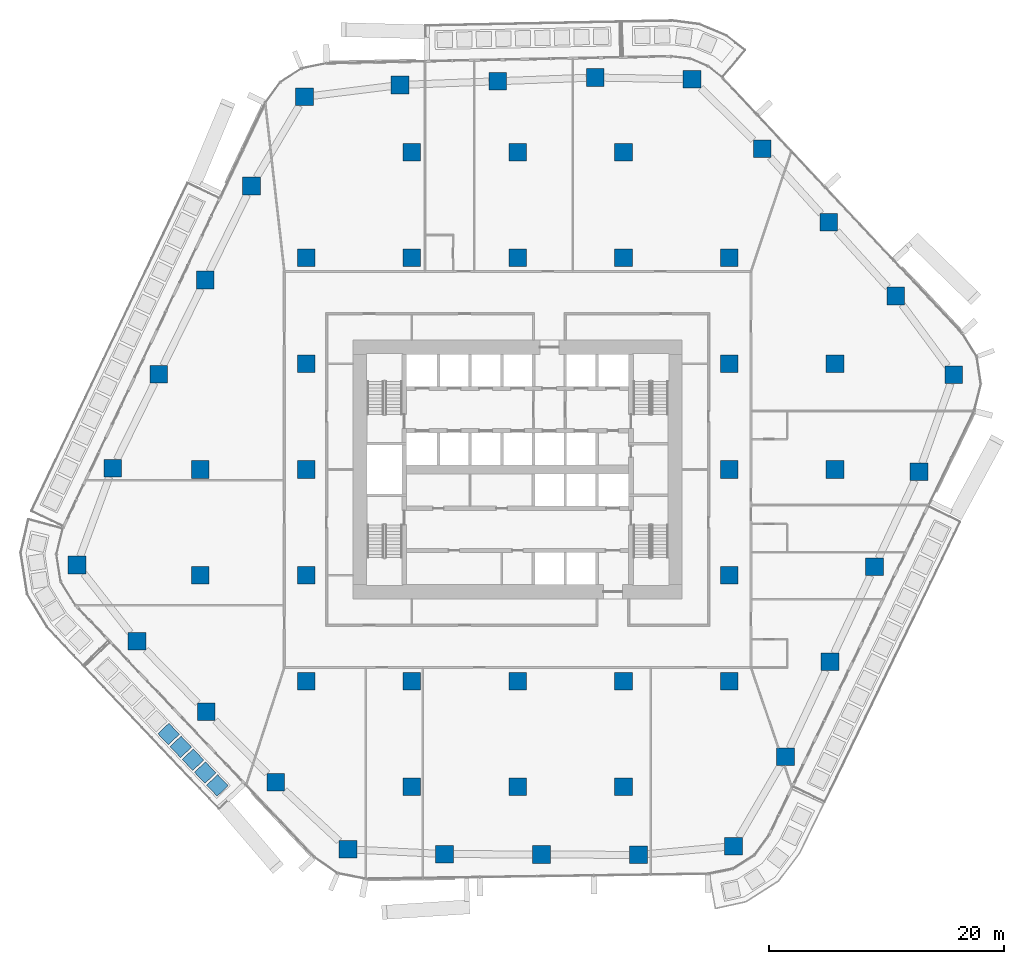
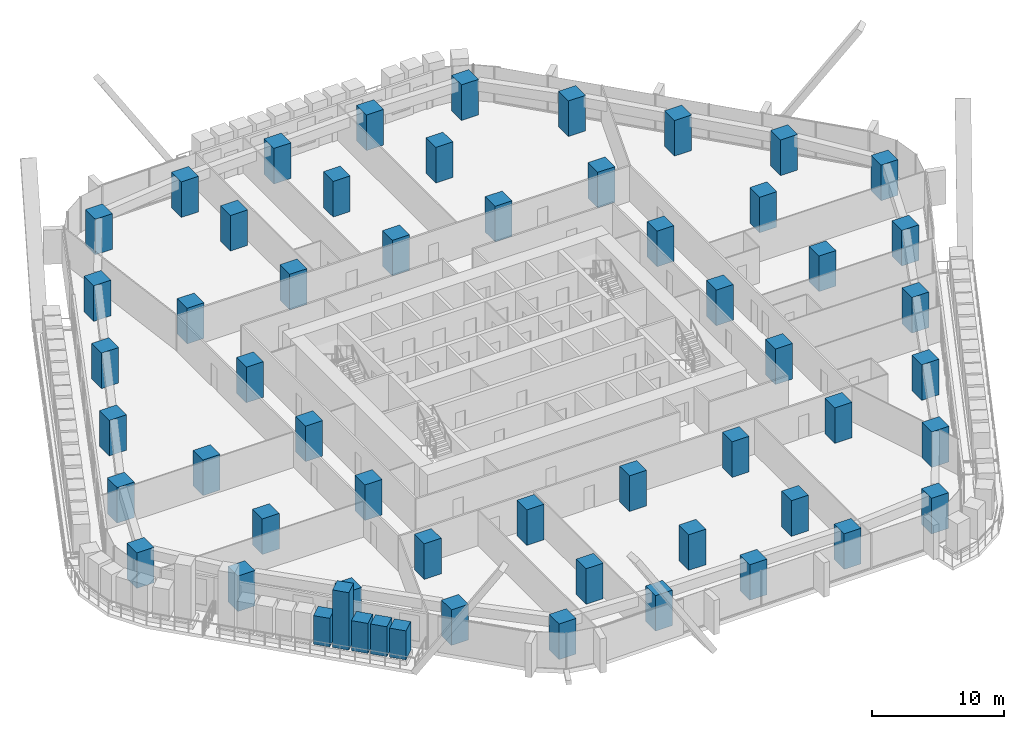
# One storey, part 1 of 24: 52 columns, 5 members.
"""IFC4 building model written with IfcOpenShell, lengths in metres."""

from ifc_helpers import new_model, si_unit, direction, frame, origin, origin_2d, place, context, subcontext, project, spatial, rectangle, extrude, material, material_profile, profile_set, type_object, element, save


model = new_model("IFC4")

# Units and contexts
model_context = context("Model", 3, precision=1e-05, world=origin(), true_north=direction((0.0, 1.0)))
body_context = subcontext(model_context, "Body", "Model", "MODEL_VIEW")
ifc_project = project(units=[si_unit("LENGTHUNIT", "METRE"), si_unit("AREAUNIT", "SQUARE_METRE"), si_unit("VOLUMEUNIT", "CUBIC_METRE"), si_unit("PLANEANGLEUNIT", "RADIAN"), si_unit("MASSUNIT", "GRAM", prefix="KILO")], contexts=[model_context])

# Site, building, storey
site_placement = place(None, origin())
site = spatial("IfcSite", under=ifc_project, at=site_placement, CompositionType="ELEMENT")
building_placement = place(site_placement, origin())
building = spatial("IfcBuilding", under=site, at=building_placement, Name="Dongbaek Canopy Tower", CompositionType="ELEMENT")
storey_placement = place(building_placement, frame((0.0, 0.0, 51.39990234375)))
storey = spatial("IfcBuildingStorey", under=building, at=storey_placement, Name="L08", CompositionType="ELEMENT", Elevation=51.39990234375)

# Columns
ifc_material_1 = material(Name="Concrete C80", Category="concrete")
ifc_material_profile_1 = material_profile(ifc_material_1, rectangle(XDim=1.5, YDim=1.5, at=origin_2d()), Name="RC COLUMN 1500x1500 C80")
ifc_profile_set_1 = profile_set([ifc_material_profile_1], Name="Concrete C80")
column_type = type_object("IfcColumnType", Name="RC COLUMN 1500x1500 C80", PredefinedType="COLUMN", material=ifc_profile_set_1)
for number, where, z_axis, x_axis, name in (
    (1, (18.367919921875, -32.04296875, 0.0), (0.0, 0.0, 1.0), (1.0, 0.0, 0.0), "COL:CZ1-01:L08"),
    (2, (10.277099609375, -32.7900390625, 0.0), (0.0, 0.0, 1.0), (1.0, 0.0, 0.0), "COL:CZ1-02:L08"),
    (3, (2.027099609375, -32.7529296875, 0.0), (0.0, 0.0, 1.0), (1.0, 0.0, 0.0), "COL:CZ1-03:L08"),
    (4, (-6.221923828125, -32.717041015625, 0.0), (0.0, 0.0, 1.0), (1.0, 0.0, 0.0), "COL:CZ1-04:L08"),
    (5, (-14.43408203125, -32.31298828125, 0.0), (0.0, 0.0, 1.0), (1.0, 0.0, 0.0), "COL:CZ1-05:L08"),
    (6, (-20.573974609375, -26.60205078125, 0.0), (0.0, 0.0, 1.0), (1.0, 0.0, 0.0), "COL:CZ1-06:L08"),
    (7, (-26.47802734375, -20.60791015625, 0.0), (0.0, 0.0, 1.0), (1.0, 0.0, 0.0), "COL:CZ1-07:L08"),
    (8, (-32.382080078125, -14.613037109375, 0.0), (0.0, 0.0, 1.0), (1.0, 0.0, 0.0), "COL:CZ1-08:L08"),
    (9, (-37.489013671875, -8.123046875, 0.0), (0.0, 0.0, 1.0), (1.0, 0.0, 0.0), "COL:CZ1-09:L08"),
    (10, (-34.462890625, 0.10302734375, 0.0), (0.0, 0.0, 1.0), (1.0, 0.0, 0.0), "COL:CZ1-10:L08"),
    (11, (-30.52490234375, 8.111083984375, 0.0), (0.0, 0.0, 1.0), (1.0, 0.0, 0.0), "COL:CZ1-11:L08"),
    (12, (-26.5859375, 16.117919921875, 0.0), (0.0, 0.0, 1.0), (1.0, 0.0, 0.0), "COL:CZ1-12:L08"),
    (13, (-22.64794921875, 24.125, 0.0), (0.0, 0.0, 1.0), (1.0, 0.0, 0.0), "COL:CZ1-13:L08"),
    (14, (-18.138916015625, 31.698974609375, 0.0), (0.0, 0.0, 1.0), (1.0, 0.0, 0.0), "COL:CZ1-14:L08"),
    (15, (-10.006103515625, 32.714111328125, 0.0), (0.0, 0.0, 1.0), (1.0, 0.0, 0.0), "COL:CZ1-15:L08"),
    (16, (-1.7080078125, 33.031982421875, 0.0), (0.0, 0.0, 1.0), (1.0, 0.0, 0.0), "COL:CZ1-16:L08"),
    (17, (6.589111328125, 33.34912109375, 0.0), (0.0, 0.0, 1.0), (1.0, 0.0, 0.0), "COL:CZ1-17:L08"),
    (18, (14.830078125, 33.194091796875, 0.0), (0.0, 0.0, 1.0), (1.0, 0.0, 0.0), "COL:CZ1-18:L08"),
    (19, (20.804931640625, 27.297119140625, 0.0), (0.0, 0.0, 1.0), (1.0, 0.0, 0.0), "COL:CZ1-19:L08"),
    (20, (26.48193359375, 21.029052734375, 0.0), (0.0, 0.0, 1.0), (1.0, 0.0, 0.0), "COL:CZ1-20:L08"),
    (21, (32.157958984375, 14.760986328125, 0.0), (0.0, 0.0, 1.0), (1.0, 0.0, 0.0), "COL:CZ1-21:L08"),
    (22, (37.097900390625, 8.06591796875, 0.0), (0.0, 0.0, 1.0), (1.0, 0.0, 0.0), "COL:CZ1-22:L08"),
    (23, (34.14306640625, -0.205078125, 0.0), (0.0, 0.0, 1.0), (1.0, 0.0, 0.0), "COL:CZ1-23:L08"),
    (24, (30.360107421875, -8.283935546875, 0.0), (0.0, 0.0, 1.0), (1.0, 0.0, 0.0), "COL:CZ1-24:L08"),
    (25, (26.575927734375, -16.364013671875, 0.0), (0.0, 0.0, 1.0), (1.0, 0.0, 0.0), "COL:CZ1-25:L08"),
    (26, (22.7919921875, -24.443115234375, 0.0), (0.0, 0.0, 1.0), (1.0, 0.0, 0.0), "COL:CZ1-26:L08"),
    (27, (-27.0, -9.0, 0.0), (0.0, 0.0, 1.0), (1.0, 0.0, 0.0), "COL:CIZ1-01:L08"),
    (28, (-27.0, 0.0, 0.0), (0.0, 0.0, 1.0), (1.0, 0.0, 0.0), "COL:CIZ1-02:L08"),
    (29, (-18.0, -18.0, 0.0), (0.0, 0.0, 1.0), (1.0, 0.0, 0.0), "COL:CIZ1-03:L08"),
    (30, (-18.0, -9.0, 0.0), (0.0, 0.0, 1.0), (1.0, 0.0, 0.0), "COL:CIZ1-04:L08"),
    (31, (-18.0, 0.0, 0.0), (0.0, 0.0, 1.0), (1.0, 0.0, 0.0), "COL:CIZ1-05:L08"),
    (32, (-18.0, 9.0, 0.0), (0.0, 0.0, 1.0), (1.0, 0.0, 0.0), "COL:CIZ1-06:L08"),
    (33, (-18.0, 18.0, 0.0), (0.0, 0.0, 1.0), (1.0, 0.0, 0.0), "COL:CIZ1-07:L08"),
    (34, (-9.0, -27.0, 0.0), (0.0, 0.0, 1.0), (1.0, 0.0, 0.0), "COL:CIZ1-08:L08"),
    (35, (-9.0, -18.0, 0.0), (0.0, 0.0, 1.0), (1.0, 0.0, 0.0), "COL:CIZ1-09:L08"),
    (36, (-9.0, 18.0, 0.0), (0.0, 0.0, 1.0), (1.0, 0.0, 0.0), "COL:CIZ1-10:L08"),
    (37, (-9.0, 27.0, 0.0), (0.0, 0.0, 1.0), (1.0, 0.0, 0.0), "COL:CIZ1-11:L08"),
    (38, (0.0, -27.0, 0.0), (0.0, 0.0, 1.0), (1.0, 0.0, 0.0), "COL:CIZ1-12:L08"),
    (39, (0.0, -18.0, 0.0), (0.0, 0.0, 1.0), (1.0, 0.0, 0.0), "COL:CIZ1-13:L08"),
    (40, (0.0, 18.0, 0.0), (0.0, 0.0, 1.0), (1.0, 0.0, 0.0), "COL:CIZ1-14:L08"),
    (41, (0.0, 27.0, 0.0), (0.0, 0.0, 1.0), (1.0, 0.0, 0.0), "COL:CIZ1-15:L08"),
    (42, (9.0, -27.0, 0.0), (0.0, 0.0, 1.0), (1.0, 0.0, 0.0), "COL:CIZ1-16:L08"),
    (43, (9.0, -18.0, 0.0), (0.0, 0.0, 1.0), (1.0, 0.0, 0.0), "COL:CIZ1-17:L08"),
    (44, (9.0, 18.0, 0.0), (0.0, 0.0, 1.0), (1.0, 0.0, 0.0), "COL:CIZ1-18:L08"),
    (45, (9.0, 27.0, 0.0), (0.0, 0.0, 1.0), (1.0, 0.0, 0.0), "COL:CIZ1-19:L08"),
    (46, (18.0, -18.0, 0.0), (0.0, 0.0, 1.0), (1.0, 0.0, 0.0), "COL:CIZ1-20:L08"),
    (47, (18.0, -9.0, 0.0), (0.0, 0.0, 1.0), (1.0, 0.0, 0.0), "COL:CIZ1-21:L08"),
    (48, (18.0, 0.0, 0.0), (0.0, 0.0, 1.0), (1.0, 0.0, 0.0), "COL:CIZ1-22:L08"),
    (49, (18.0, 9.0, 0.0), (0.0, 0.0, 1.0), (1.0, 0.0, 0.0), "COL:CIZ1-23:L08"),
    (50, (18.0, 18.0, 0.0), (0.0, 0.0, 1.0), (1.0, 0.0, 0.0), "COL:CIZ1-24:L08"),
    (51, (27.0, 0.0, 0.0), (0.0, 0.0, 1.0), (1.0, 0.0, 0.0), "COL:CIZ1-25:L08"),
    (52, (27.0, 9.0, 0.0), (0.0, 0.0, 1.0), (1.0, 0.0, 0.0), "COL:CIZ1-26:L08"),
):
    element("IfcColumn", number, at=place(storey_placement, frame(where, z_axis=z_axis, x_axis=x_axis)), inside=storey, type_object=column_type, Name=name, PredefinedType="COLUMN", context=body_context, shape_type="SweptSolid", body=[
        extrude(rectangle(XDim=1.5, YDim=1.5, at=origin_2d()), origin(), (0.0, 0.0, 1.0), 3.300048828125),
    ])

# Members
ifc_material_2 = material(Name="Concrete C40/50 planter mass with planting", Category="concrete")
ifc_material_profile_2 = material_profile(ifc_material_2, rectangle(XDim=1.300048828125, YDim=1.300048828125, at=origin_2d()), Name="Terrace PLANTER shrub mass 1300 x 1300")
ifc_profile_set_2 = profile_set([ifc_material_profile_2], Name="Concrete C40/50 planter mass with planting")
member_type = type_object("IfcMemberType", Name="Terrace PLANTER shrub mass 1300 x 1300", PredefinedType="USERDEFINED", material=ifc_profile_set_2)
member_1_placement = place(storey_placement, frame((-29.695556640625, -22.501953125, 0.420166015625), z_axis=(0.0, 0.0, 1.0), x_axis=(-0.725626548924, -0.688088738098, 0.0)))
element("IfcMember", 53, at=member_1_placement, inside=storey, type_object=member_type, Name="Planter shrubs L08 3.6", ObjectType="PLANTER", PredefinedType="USERDEFINED", context=body_context, shape_type="SweptSolid", body=[
    extrude(rectangle(XDim=1.300048828125, YDim=1.300048828125, at=origin_2d()), origin(), (0.0, 0.0, 1.0), 2.64990234375),
])
member_2_placement = place(storey_placement, frame((-28.657958984375, -23.596435546875, 0.420166015625), z_axis=(0.0, 0.0, 1.0), x_axis=(-0.725626548924, -0.688088738098, 0.0)))
element("IfcMember", 54, at=member_2_placement, inside=storey, type_object=member_type, Name="Planter tree L08 3.7", ObjectType="PLANTER", PredefinedType="USERDEFINED", context=body_context, shape_type="SweptSolid", body=[
    extrude(rectangle(XDim=1.300048828125, YDim=1.300048828125, at=origin_2d()), origin(), (0.0, 0.0, 1.0), 5.329833984375),
])
member_3_placement = place(storey_placement, frame((-27.6201171875, -24.69091796875, 0.420166015625), z_axis=(0.0, 0.0, 1.0), x_axis=(-0.725626548924, -0.688088738098, 0.0)))
element("IfcMember", 55, at=member_3_placement, inside=storey, type_object=member_type, Name="Planter shrubs L08 3.8", ObjectType="PLANTER", PredefinedType="USERDEFINED", context=body_context, shape_type="SweptSolid", body=[
    extrude(rectangle(XDim=1.300048828125, YDim=1.300048828125, at=origin_2d()), origin(), (0.0, 0.0, 1.0), 2.780029296875),
])
member_4_placement = place(storey_placement, frame((-26.582275390625, -25.78515625, 0.420166015625), z_axis=(0.0, 0.0, 1.0), x_axis=(-0.725626548924, -0.688088738098, 0.0)))
element("IfcMember", 56, at=member_4_placement, inside=storey, type_object=member_type, Name="Planter shrubs L08 3.9", ObjectType="PLANTER", PredefinedType="USERDEFINED", context=body_context, shape_type="SweptSolid", body=[
    extrude(rectangle(XDim=1.300048828125, YDim=1.300048828125, at=origin_2d()), origin(), (0.0, 0.0, 1.0), 2.77001953125),
])
member_5_placement = place(storey_placement, frame((-25.54443359375, -26.879638671875, 0.420166015625), z_axis=(0.0, 0.0, 1.0), x_axis=(-0.725626548924, -0.688088738098, 0.0)))
element("IfcMember", 57, at=member_5_placement, inside=storey, type_object=member_type, Name="Planter shrubs L08 3.10", ObjectType="PLANTER", PredefinedType="USERDEFINED", context=body_context, shape_type="SweptSolid", body=[
    extrude(rectangle(XDim=1.300048828125, YDim=1.300048828125, at=origin_2d()), origin(), (0.0, 0.0, 1.0), 2.68994140625),
])

save(model, "model.ifc")
